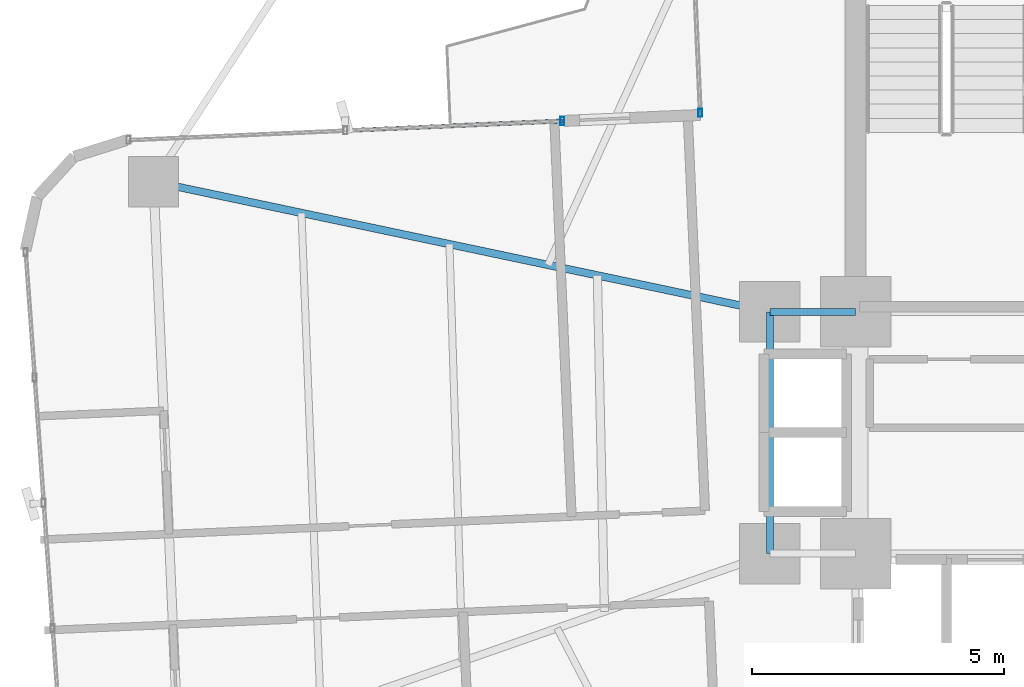
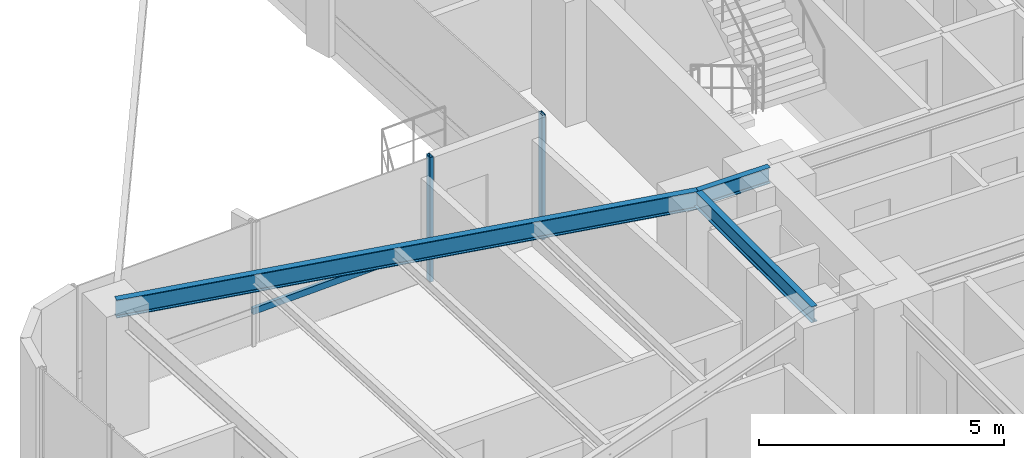
# One storey, part 10 of 26: 3 beams, 3 members, 2 elements without a shape of their own.
"""IFC4 building model written with IfcOpenShell, lengths in metres."""

from ifc_helpers import new_model, si_unit, direction, frame, origin, origin_2d, place, context, subcontext, project, spatial, hollow_rectangle, i_section, extrude, source, transform, mapped, material, material_profile, profile_set, type_object, element, aggregate, save


model = new_model("IFC4")

# Units and contexts
model_context = context("Model", 3, precision=1e-05, world=origin(), true_north=direction((0.0, 1.0)))
body_context = subcontext(model_context, "Body", "Model", "MODEL_VIEW")
ifc_project = project(units=[si_unit("LENGTHUNIT", "METRE"), si_unit("AREAUNIT", "SQUARE_METRE"), si_unit("VOLUMEUNIT", "CUBIC_METRE"), si_unit("PLANEANGLEUNIT", "RADIAN"), si_unit("MASSUNIT", "GRAM", prefix="KILO")], contexts=[model_context])

# Site, building, storey
site_placement = place(None, origin())
site = spatial("IfcSite", under=ifc_project, at=site_placement, CompositionType="ELEMENT")
building_placement = place(site_placement, origin())
building = spatial("IfcBuilding", under=site, at=building_placement, Name="Sahyath Konkavel Grand Hotel", CompositionType="ELEMENT")
storey_placement = place(building_placement, frame((0.0, 0.0, 86.85009765625)))
storey = spatial("IfcBuildingStorey", under=building, at=storey_placement, Name="L23", CompositionType="ELEMENT", Elevation=86.85009765625)

# Beams
ifc_material_1 = material(Name="Steel E350", Category="steel")
ifc_material_profile_1 = material_profile(ifc_material_1, i_section(OverallWidth=0.139892578125, OverallDepth=0.39990234375, WebThickness=0.0087890625, FlangeThickness=0.01611328125, FilletRadius=0.013916015625, at=origin_2d()), Name="ISMB 400")
ifc_profile_set_1 = profile_set([ifc_material_profile_1], Name="Steel E350")
beam_type_1 = type_object("IfcBeamType", Name="BM-ISMB400", PredefinedType="BEAM", material=ifc_profile_set_1)
shared_shape_1 = source(origin(), body_context, "Body", "SweptSolid", [
    extrude(i_section(OverallWidth=0.139892578125, OverallDepth=0.39990234375, WebThickness=0.0087890625, FlangeThickness=0.01611328125, FilletRadius=0.013916015625, at=origin_2d()), origin(), (0.0, 0.0, 1.0), 1.699951171875),
])
beam_1_placement = place(storey_placement, frame((-5.5, 2.39990234375, 2.909912109375), z_axis=(1.0, 0.0, 0.0), x_axis=(0.0, 1.0, 0.0)))
element("IfcBeam", 1, at=beam_1_placement, inside=storey, type_object=beam_type_1, Name="str:bm:L23:HB-NW", PredefinedType="BEAM", context=body_context, shape_type="MappedRepresentation", body=[
    mapped(shared_shape_1, transform((0.0, 0.0, 0.0), scale=1.0)),
])
shared_shape_2 = source(origin(), body_context, "Body", "SweptSolid", [
    extrude(i_section(OverallWidth=0.139892578125, OverallDepth=0.39990234375, WebThickness=0.0087890625, FlangeThickness=0.01611328125, FilletRadius=0.013916015625, at=origin_2d()), origin(), (0.0, 0.0, 1.0), 4.7998046875),
])
beam_2_placement = place(storey_placement, frame((-5.5, -2.39990234375, 2.909912109375), z_axis=(0.0, 1.0, 0.0), x_axis=(-1.0, 0.0, 0.0)))
element("IfcBeam", 2, at=beam_2_placement, inside=storey, type_object=beam_type_1, Name="str:bm:L23:HB-W", PredefinedType="BEAM", context=body_context, shape_type="MappedRepresentation", body=[
    mapped(shared_shape_2, transform((0.0, 0.0, 0.0), scale=1.0)),
])
ifc_material_profile_2 = material_profile(ifc_material_1, i_section(OverallWidth=0.14990234375, OverallDepth=0.449951171875, WebThickness=0.009521484375, FlangeThickness=0.017333984375, FilletRadius=0.014892578125, at=origin_2d()), Name="ISMB 450")
ifc_profile_set_2 = profile_set([ifc_material_profile_2], Name="Steel E350")
beam_type_2 = type_object("IfcBeamType", Name="BM-ISMB450", PredefinedType="BEAM", material=ifc_profile_set_2)
shared_shape_3 = source(origin(), body_context, "Body", "SweptSolid", [
    extrude(i_section(OverallWidth=0.14990234375, OverallDepth=0.449951171875, WebThickness=0.009521484375, FlangeThickness=0.017333984375, FilletRadius=0.014892578125, at=origin_2d()), origin(), (0.0, 0.0, 1.0), 12.50341796875),
])
beam_3_placement = place(storey_placement, frame((-5.5, 2.39990234375, 2.885009765625), z_axis=(-0.978457911392, 0.206446398937, 0.0), x_axis=(-0.206446398937, -0.978457911392, 0.0)))
element("IfcBeam", 3, at=beam_3_placement, inside=storey, type_object=beam_type_2, Name="L23 Cruciform Radial Girder WA", PredefinedType="BEAM", context=body_context, shape_type="MappedRepresentation", body=[
    mapped(shared_shape_3, transform((0.0, 0.0, 0.0), scale=1.0)),
])

# Curtain wall, member
ifc_material_2 = material(Name="Anodised Bronze Aluminium & Low-E Glazing", Category="aluminium")
curtain_wall_type = type_object("IfcCurtainWallType", Name="CW-ZONE2", PredefinedType="NOTDEFINED", material=ifc_material_2)
curtain_wall_1_placement = place(storey_placement, origin())
curtain_wall_1 = element("IfcCurtainWall", 4, at=curtain_wall_1_placement, inside=storey, type_object=curtain_wall_type, Name="L23 Unitised Curtain Wall F15", PredefinedType="NOTDEFINED")
ifc_material_3 = material(Name="Anodised Bronze Aluminium", Category="aluminium")
ifc_material_profile_3 = material_profile(ifc_material_3, hollow_rectangle(XDim=0.080078125, YDim=0.159912109375, WallThickness=0.006103515625, at=origin_2d()), Name="RHS 160x80x6")
ifc_profile_set_3 = profile_set([ifc_material_profile_3], Name="Anodised Bronze Aluminium")
member_type_1 = type_object("IfcMemberType", Name="CW-MUL-160", PredefinedType="MULLION", material=ifc_profile_set_3)
shared_shape_4 = source(origin(), body_context, "Body", "SweptSolid", [
    extrude(hollow_rectangle(XDim=0.080078125, YDim=0.159912109375, WallThickness=0.006103515625, at=origin_2d()), origin(), (0.0, 0.0, 1.0), 3.10986328125),
])
member_1_placement = place(storey_placement, frame((-6.88330078125, 6.345703125, 0.0), z_axis=(0.0, 0.0, 1.0), x_axis=(1.0, 0.0, 0.0)))
member_1 = element("IfcMember", 5, at=member_1_placement, type_object=member_type_1, Name="L23 Curtain Wall Mullion F15-2", PredefinedType="MULLION", context=body_context, shape_type="MappedRepresentation", body=[
    mapped(shared_shape_4, transform((0.0, 0.0, 0.0), scale=1.0)),
])
aggregate(curtain_wall_1, [member_1])

# Curtain wall, members
curtain_wall_2_placement = place(storey_placement, origin())
curtain_wall_2 = element("IfcCurtainWall", 6, at=curtain_wall_2_placement, inside=storey, type_object=curtain_wall_type, Name="L23 Unitised Curtain Wall F16", PredefinedType="NOTDEFINED")
member_2_placement = place(storey_placement, frame((-9.618896484375, 6.186279296875, 0.0), z_axis=(0.0, 0.0, 1.0), x_axis=(1.0, 0.0, 0.0)))
member_2 = element("IfcMember", 7, at=member_2_placement, type_object=member_type_1, Name="L23 Curtain Wall Mullion F16-0", PredefinedType="MULLION", context=body_context, shape_type="MappedRepresentation", body=[
    mapped(shared_shape_4, transform((0.0, 0.0, 0.0), scale=1.0)),
])
ifc_material_profile_4 = material_profile(ifc_material_3, hollow_rectangle(XDim=0.080078125, YDim=0.159912109375, WallThickness=0.006103515625, at=origin_2d()), Name="RHS 160x80x6")
ifc_profile_set_4 = profile_set([ifc_material_profile_4], Name="Anodised Bronze Aluminium")
member_type_2 = type_object("IfcMemberType", Name="CW-TRN-160", PredefinedType="USERDEFINED", material=ifc_profile_set_4)
shared_shape_5 = source(origin(), body_context, "Body", "SweptSolid", [
    extrude(hollow_rectangle(XDim=0.080078125, YDim=0.159912109375, WallThickness=0.006103515625, at=origin_2d()), origin(), (0.0, 0.0, 1.0), 4.31005859375),
])
member_3_placement = place(storey_placement, frame((-9.618896484375, 6.186279296875, 0.849853515625), z_axis=(-0.999048340188, -0.043616670746, 0.0), x_axis=(0.043616670746, -0.999048340188, 0.0)))
member_3 = element("IfcMember", 8, at=member_3_placement, type_object=member_type_2, Name="L23 Curtain Wall Transom F16-0-spandrel", ObjectType="TRANSOM", PredefinedType="USERDEFINED", context=body_context, shape_type="MappedRepresentation", body=[
    mapped(shared_shape_5, transform((0.0, 0.0, 0.0), scale=1.0)),
])
aggregate(curtain_wall_2, [member_2, member_3])

save(model, "model.ifc")
